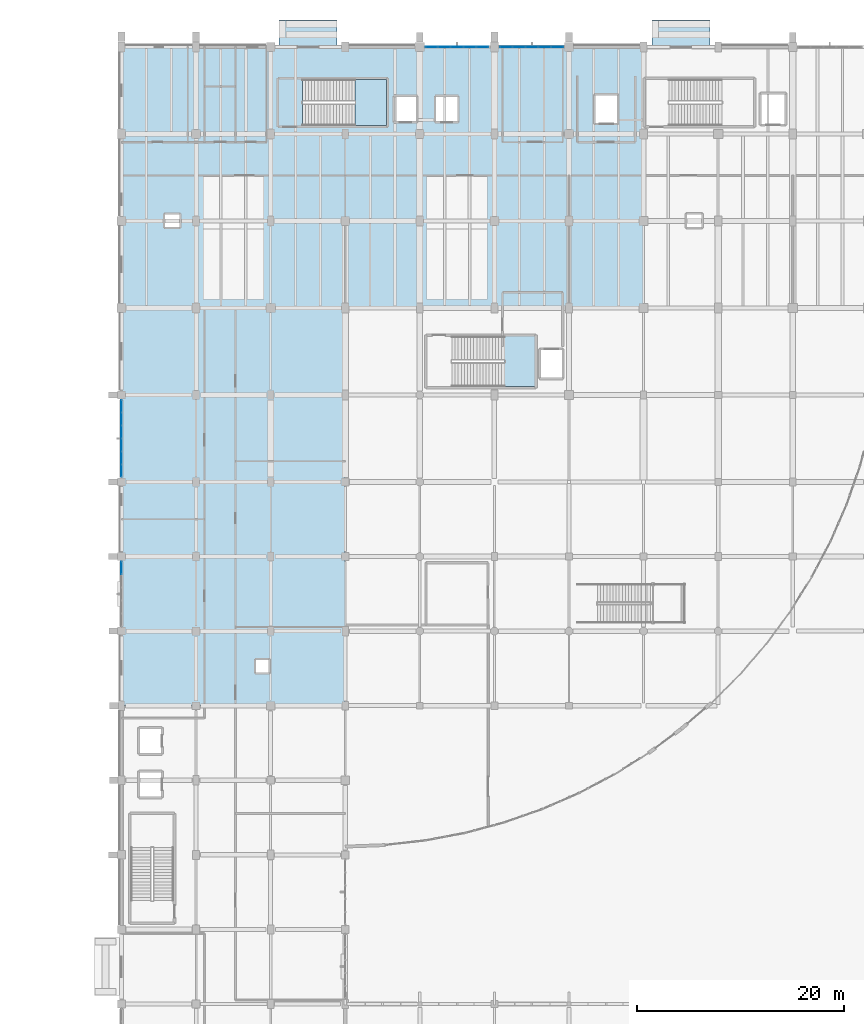
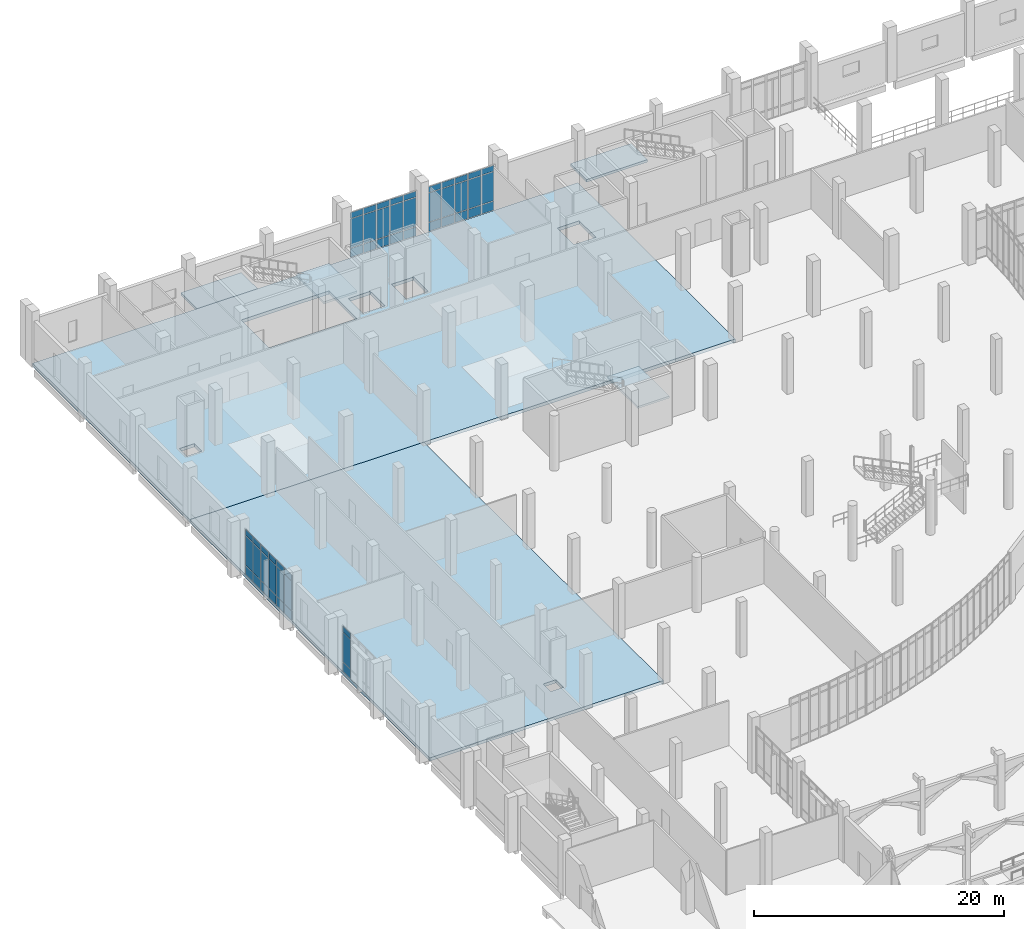
# One storey, part 82 of 110: 51 plates, 6 slabs, 6 elements without a shape of their own.
"""IFC4 building model written with IfcOpenShell, lengths in metres."""

from ifc_helpers import new_model, si_unit, direction, frame, origin, origin_2d, place, context, subcontext, project, spatial, polyline, rectangle, outline, extrude, material, layer, layer_set, type_object, element, aggregate, save


model = new_model("IFC4")

# Units and contexts
model_context = context("Model", 3, precision=1e-05, world=origin(), true_north=direction((0.0, 1.0)))
body_context = subcontext(model_context, "Body", "Model", "MODEL_VIEW")
ifc_project = project(units=[si_unit("LENGTHUNIT", "METRE"), si_unit("AREAUNIT", "SQUARE_METRE"), si_unit("VOLUMEUNIT", "CUBIC_METRE"), si_unit("PLANEANGLEUNIT", "RADIAN"), si_unit("MASSUNIT", "GRAM", prefix="KILO")], contexts=[model_context])

# Site, building, storey
site_placement = place(None, origin())
site = spatial("IfcSite", under=ifc_project, at=site_placement, CompositionType="ELEMENT")
building_placement = place(site_placement, origin())
building = spatial("IfcBuilding", under=site, at=building_placement, Name="Kalluvel Institute of Natural Sciences", CompositionType="ELEMENT")
storey_placement = place(building_placement, origin())
storey = spatial("IfcBuildingStorey", under=building, at=storey_placement, Name="L00", CompositionType="ELEMENT", Elevation=0.0)

# Curtain wall, plates
ifc_material_1 = material(Name="Aluminium AW-6063 T6", Category="aluminium")
curtain_wall_type_1 = type_object("IfcCurtainWallType", Name="CW-WET-54", PredefinedType="USERDEFINED", material=ifc_material_1)
curtain_wall_1_placement = place(storey_placement, origin())
curtain_wall_1 = element("IfcCurtainWall", 1, at=curtain_wall_1_placement, inside=storey, type_object=curtain_wall_type_1, Name="L00 Gothic lancet curtain wall CWA-L00-X433-Y1280", ObjectType="UNITISED LANCET FACADE", PredefinedType="USERDEFINED")
ifc_material_2 = material(Name="Solar-Control Low-E Laminated Glass", Category="glass")
ifc_layer_1 = layer(ifc_material_2, 0.028076171875)
ifc_layer_set_1 = layer_set([ifc_layer_1], Name="Solar-Control Low-E Laminated Glass")
plate_type = type_object("IfcPlateType", Name="CWP-DGU-28", PredefinedType="CURTAIN_PANEL", material=ifc_layer_set_1)
plate_1_placement = place(storey_placement, frame((43.9326171875, 128.0, 0.06005859375), z_axis=(0.0, 0.0, 1.0), x_axis=(1.0, 0.0, 0.0)))
plate_1 = element("IfcPlate", 2, at=plate_1_placement, type_object=plate_type, Name="CW-02 panel 1.1", PredefinedType="CURTAIN_PANEL", context=body_context, shape_type="SweptSolid", body=[
    extrude(rectangle(XDim=1.14501953125, YDim=0.028076171875, at=origin_2d()), origin(), (0.0, 0.0, 1.0), 0.860107421875),
])
plate_2_placement = place(storey_placement, frame((43.9326171875, 128.0, 0.97998046875), z_axis=(0.0, 0.0, 1.0), x_axis=(1.0, 0.0, 0.0)))
plate_2 = element("IfcPlate", 3, at=plate_2_placement, type_object=plate_type, Name="CW-02 panel 1.2", PredefinedType="CURTAIN_PANEL", context=body_context, shape_type="SweptSolid", body=[
    extrude(rectangle(XDim=1.14501953125, YDim=0.028076171875, at=origin_2d()), origin(), (0.0, 0.0, 1.0), 2.820068359375),
])
plate_3_placement = place(storey_placement, frame((43.9326171875, 128.0, 3.85986328125), z_axis=(0.0, 0.0, 1.0), x_axis=(1.0, 0.0, 0.0)))
plate_3 = element("IfcPlate", 4, at=plate_3_placement, type_object=plate_type, Name="CW-02 panel 1.3", PredefinedType="CURTAIN_PANEL", context=body_context, shape_type="SweptSolid", body=[
    extrude(rectangle(XDim=1.14501953125, YDim=0.028076171875, at=origin_2d()), origin(), (0.0, 0.0, 1.0), 0.56005859375),
])
plate_4_placement = place(storey_placement, frame((45.152587890625, 128.0, 0.06005859375), z_axis=(0.0, 0.0, 1.0), x_axis=(1.0, 0.0, 0.0)))
plate_4 = element("IfcPlate", 5, at=plate_4_placement, type_object=plate_type, Name="CW-02 panel 2.1", PredefinedType="CURTAIN_PANEL", context=body_context, shape_type="SweptSolid", body=[
    extrude(rectangle(XDim=1.175048828125, YDim=0.028076171875, at=origin_2d()), origin(), (0.0, 0.0, 1.0), 0.860107421875),
])
plate_5_placement = place(storey_placement, frame((45.152587890625, 128.0, 0.97998046875), z_axis=(0.0, 0.0, 1.0), x_axis=(1.0, 0.0, 0.0)))
plate_5 = element("IfcPlate", 6, at=plate_5_placement, type_object=plate_type, Name="CW-02 panel 2.2", PredefinedType="CURTAIN_PANEL", context=body_context, shape_type="SweptSolid", body=[
    extrude(rectangle(XDim=1.175048828125, YDim=0.028076171875, at=origin_2d()), origin(), (0.0, 0.0, 1.0), 2.820068359375),
])
plate_6_placement = place(storey_placement, frame((45.152587890625, 128.0, 3.85986328125), z_axis=(0.0, 0.0, 1.0), x_axis=(1.0, 0.0, 0.0)))
plate_6 = element("IfcPlate", 7, at=plate_6_placement, type_object=plate_type, Name="CW-02 panel 2.3", PredefinedType="CURTAIN_PANEL", context=body_context, shape_type="SweptSolid", body=[
    extrude(rectangle(XDim=1.175048828125, YDim=0.028076171875, at=origin_2d()), origin(), (0.0, 0.0, 1.0), 0.56005859375),
])
plate_7_placement = place(storey_placement, frame((46.387451171875, 128.0, 0.06005859375), z_axis=(0.0, 0.0, 1.0), x_axis=(1.0, 0.0, 0.0)))
plate_7 = element("IfcPlate", 8, at=plate_7_placement, type_object=plate_type, Name="CW-02 panel 3.1", PredefinedType="CURTAIN_PANEL", context=body_context, shape_type="SweptSolid", body=[
    extrude(rectangle(XDim=1.175048828125, YDim=0.028076171875, at=origin_2d()), origin(), (0.0, 0.0, 1.0), 0.860107421875),
])
plate_8_placement = place(storey_placement, frame((46.387451171875, 128.0, 0.97998046875), z_axis=(0.0, 0.0, 1.0), x_axis=(1.0, 0.0, 0.0)))
plate_8 = element("IfcPlate", 9, at=plate_8_placement, type_object=plate_type, Name="CW-02 panel 3.2", PredefinedType="CURTAIN_PANEL", context=body_context, shape_type="SweptSolid", body=[
    extrude(rectangle(XDim=1.175048828125, YDim=0.028076171875, at=origin_2d()), origin(), (0.0, 0.0, 1.0), 2.820068359375),
])
plate_9_placement = place(storey_placement, frame((46.387451171875, 128.0, 3.85986328125), z_axis=(0.0, 0.0, 1.0), x_axis=(1.0, 0.0, 0.0)))
plate_9 = element("IfcPlate", 10, at=plate_9_placement, type_object=plate_type, Name="CW-02 panel 3.3", PredefinedType="CURTAIN_PANEL", context=body_context, shape_type="SweptSolid", body=[
    extrude(rectangle(XDim=1.175048828125, YDim=0.028076171875, at=origin_2d()), origin(), (0.0, 0.0, 1.0), 0.56005859375),
])
plate_10_placement = place(storey_placement, frame((47.62255859375, 128.0, 0.06005859375), z_axis=(0.0, 0.0, 1.0), x_axis=(1.0, 0.0, 0.0)))
plate_10 = element("IfcPlate", 11, at=plate_10_placement, type_object=plate_type, Name="CW-02 panel 4.1", PredefinedType="CURTAIN_PANEL", context=body_context, shape_type="SweptSolid", body=[
    extrude(rectangle(XDim=1.175048828125, YDim=0.028076171875, at=origin_2d()), origin(), (0.0, 0.0, 1.0), 0.860107421875),
])
plate_11_placement = place(storey_placement, frame((47.62255859375, 128.0, 0.97998046875), z_axis=(0.0, 0.0, 1.0), x_axis=(1.0, 0.0, 0.0)))
plate_11 = element("IfcPlate", 12, at=plate_11_placement, type_object=plate_type, Name="CW-02 panel 4.2", PredefinedType="CURTAIN_PANEL", context=body_context, shape_type="SweptSolid", body=[
    extrude(rectangle(XDim=1.175048828125, YDim=0.028076171875, at=origin_2d()), origin(), (0.0, 0.0, 1.0), 2.820068359375),
])
plate_12_placement = place(storey_placement, frame((47.62255859375, 128.0, 3.85986328125), z_axis=(0.0, 0.0, 1.0), x_axis=(1.0, 0.0, 0.0)))
plate_12 = element("IfcPlate", 13, at=plate_12_placement, type_object=plate_type, Name="CW-02 panel 4.3", PredefinedType="CURTAIN_PANEL", context=body_context, shape_type="SweptSolid", body=[
    extrude(rectangle(XDim=1.175048828125, YDim=0.028076171875, at=origin_2d()), origin(), (0.0, 0.0, 1.0), 0.56005859375),
])
plate_13_placement = place(storey_placement, frame((48.842529296875, 128.0, 0.06005859375), z_axis=(0.0, 0.0, 1.0), x_axis=(1.0, 0.0, 0.0)))
plate_13 = element("IfcPlate", 14, at=plate_13_placement, type_object=plate_type, Name="CW-02 panel 5.1", PredefinedType="CURTAIN_PANEL", context=body_context, shape_type="SweptSolid", body=[
    extrude(rectangle(XDim=1.14501953125, YDim=0.028076171875, at=origin_2d()), origin(), (0.0, 0.0, 1.0), 0.860107421875),
])
plate_14_placement = place(storey_placement, frame((48.842529296875, 128.0, 0.97998046875), z_axis=(0.0, 0.0, 1.0), x_axis=(1.0, 0.0, 0.0)))
plate_14 = element("IfcPlate", 15, at=plate_14_placement, type_object=plate_type, Name="CW-02 panel 5.2", PredefinedType="CURTAIN_PANEL", context=body_context, shape_type="SweptSolid", body=[
    extrude(rectangle(XDim=1.14501953125, YDim=0.028076171875, at=origin_2d()), origin(), (0.0, 0.0, 1.0), 2.820068359375),
])
plate_15_placement = place(storey_placement, frame((48.842529296875, 128.0, 3.85986328125), z_axis=(0.0, 0.0, 1.0), x_axis=(1.0, 0.0, 0.0)))
plate_15 = element("IfcPlate", 16, at=plate_15_placement, type_object=plate_type, Name="CW-02 panel 5.3", PredefinedType="CURTAIN_PANEL", context=body_context, shape_type="SweptSolid", body=[
    extrude(rectangle(XDim=1.14501953125, YDim=0.028076171875, at=origin_2d()), origin(), (0.0, 0.0, 1.0), 0.56005859375),
])
aggregate(curtain_wall_1, [plate_1, plate_2, plate_3, plate_4, plate_5, plate_6, plate_7, plate_8, plate_9, plate_10, plate_11, plate_12, plate_13, plate_14, plate_15])

curtain_wall_2_placement = place(storey_placement, origin())
curtain_wall_2 = element("IfcCurtainWall", 17, at=curtain_wall_2_placement, inside=storey, type_object=curtain_wall_type_1, Name="L00 Gothic lancet curtain wall CWA-L00-X505-Y1280", ObjectType="UNITISED LANCET FACADE", PredefinedType="USERDEFINED")
plate_16_placement = place(storey_placement, frame((51.157470703125, 128.0, 0.06005859375), z_axis=(0.0, 0.0, 1.0), x_axis=(1.0, 0.0, 0.0)))
plate_16 = element("IfcPlate", 18, at=plate_16_placement, type_object=plate_type, Name="CW-02 panel 1.1", PredefinedType="CURTAIN_PANEL", context=body_context, shape_type="SweptSolid", body=[
    extrude(rectangle(XDim=1.14501953125, YDim=0.028076171875, at=origin_2d()), origin(), (0.0, 0.0, 1.0), 0.860107421875),
])
plate_17_placement = place(storey_placement, frame((51.157470703125, 128.0, 0.97998046875), z_axis=(0.0, 0.0, 1.0), x_axis=(1.0, 0.0, 0.0)))
plate_17 = element("IfcPlate", 19, at=plate_17_placement, type_object=plate_type, Name="CW-02 panel 1.2", PredefinedType="CURTAIN_PANEL", context=body_context, shape_type="SweptSolid", body=[
    extrude(rectangle(XDim=1.14501953125, YDim=0.028076171875, at=origin_2d()), origin(), (0.0, 0.0, 1.0), 2.820068359375),
])
plate_18_placement = place(storey_placement, frame((51.157470703125, 128.0, 3.85986328125), z_axis=(0.0, 0.0, 1.0), x_axis=(1.0, 0.0, 0.0)))
plate_18 = element("IfcPlate", 20, at=plate_18_placement, type_object=plate_type, Name="CW-02 panel 1.3", PredefinedType="CURTAIN_PANEL", context=body_context, shape_type="SweptSolid", body=[
    extrude(rectangle(XDim=1.14501953125, YDim=0.028076171875, at=origin_2d()), origin(), (0.0, 0.0, 1.0), 0.56005859375),
])
plate_19_placement = place(storey_placement, frame((52.37744140625, 128.0, 0.06005859375), z_axis=(0.0, 0.0, 1.0), x_axis=(1.0, 0.0, 0.0)))
plate_19 = element("IfcPlate", 21, at=plate_19_placement, type_object=plate_type, Name="CW-02 panel 2.1", PredefinedType="CURTAIN_PANEL", context=body_context, shape_type="SweptSolid", body=[
    extrude(rectangle(XDim=1.175048828125, YDim=0.028076171875, at=origin_2d()), origin(), (0.0, 0.0, 1.0), 0.860107421875),
])
plate_20_placement = place(storey_placement, frame((52.37744140625, 128.0, 0.97998046875), z_axis=(0.0, 0.0, 1.0), x_axis=(1.0, 0.0, 0.0)))
plate_20 = element("IfcPlate", 22, at=plate_20_placement, type_object=plate_type, Name="CW-02 panel 2.2", PredefinedType="CURTAIN_PANEL", context=body_context, shape_type="SweptSolid", body=[
    extrude(rectangle(XDim=1.175048828125, YDim=0.028076171875, at=origin_2d()), origin(), (0.0, 0.0, 1.0), 2.820068359375),
])
plate_21_placement = place(storey_placement, frame((52.37744140625, 128.0, 3.85986328125), z_axis=(0.0, 0.0, 1.0), x_axis=(1.0, 0.0, 0.0)))
plate_21 = element("IfcPlate", 23, at=plate_21_placement, type_object=plate_type, Name="CW-02 panel 2.3", PredefinedType="CURTAIN_PANEL", context=body_context, shape_type="SweptSolid", body=[
    extrude(rectangle(XDim=1.175048828125, YDim=0.028076171875, at=origin_2d()), origin(), (0.0, 0.0, 1.0), 0.56005859375),
])
plate_22_placement = place(storey_placement, frame((53.612548828125, 128.0, 0.06005859375), z_axis=(0.0, 0.0, 1.0), x_axis=(1.0, 0.0, 0.0)))
plate_22 = element("IfcPlate", 24, at=plate_22_placement, type_object=plate_type, Name="CW-02 panel 3.1", PredefinedType="CURTAIN_PANEL", context=body_context, shape_type="SweptSolid", body=[
    extrude(rectangle(XDim=1.175048828125, YDim=0.028076171875, at=origin_2d()), origin(), (0.0, 0.0, 1.0), 0.860107421875),
])
plate_23_placement = place(storey_placement, frame((53.612548828125, 128.0, 0.97998046875), z_axis=(0.0, 0.0, 1.0), x_axis=(1.0, 0.0, 0.0)))
plate_23 = element("IfcPlate", 25, at=plate_23_placement, type_object=plate_type, Name="CW-02 panel 3.2", PredefinedType="CURTAIN_PANEL", context=body_context, shape_type="SweptSolid", body=[
    extrude(rectangle(XDim=1.175048828125, YDim=0.028076171875, at=origin_2d()), origin(), (0.0, 0.0, 1.0), 2.820068359375),
])
plate_24_placement = place(storey_placement, frame((53.612548828125, 128.0, 3.85986328125), z_axis=(0.0, 0.0, 1.0), x_axis=(1.0, 0.0, 0.0)))
plate_24 = element("IfcPlate", 26, at=plate_24_placement, type_object=plate_type, Name="CW-02 panel 3.3", PredefinedType="CURTAIN_PANEL", context=body_context, shape_type="SweptSolid", body=[
    extrude(rectangle(XDim=1.175048828125, YDim=0.028076171875, at=origin_2d()), origin(), (0.0, 0.0, 1.0), 0.56005859375),
])
plate_25_placement = place(storey_placement, frame((54.847412109375, 128.0, 0.06005859375), z_axis=(0.0, 0.0, 1.0), x_axis=(1.0, 0.0, 0.0)))
plate_25 = element("IfcPlate", 27, at=plate_25_placement, type_object=plate_type, Name="CW-02 panel 4.1", PredefinedType="CURTAIN_PANEL", context=body_context, shape_type="SweptSolid", body=[
    extrude(rectangle(XDim=1.175048828125, YDim=0.028076171875, at=origin_2d()), origin(), (0.0, 0.0, 1.0), 0.860107421875),
])
plate_26_placement = place(storey_placement, frame((54.847412109375, 128.0, 0.97998046875), z_axis=(0.0, 0.0, 1.0), x_axis=(1.0, 0.0, 0.0)))
plate_26 = element("IfcPlate", 28, at=plate_26_placement, type_object=plate_type, Name="CW-02 panel 4.2", PredefinedType="CURTAIN_PANEL", context=body_context, shape_type="SweptSolid", body=[
    extrude(rectangle(XDim=1.175048828125, YDim=0.028076171875, at=origin_2d()), origin(), (0.0, 0.0, 1.0), 2.820068359375),
])
plate_27_placement = place(storey_placement, frame((54.847412109375, 128.0, 3.85986328125), z_axis=(0.0, 0.0, 1.0), x_axis=(1.0, 0.0, 0.0)))
plate_27 = element("IfcPlate", 29, at=plate_27_placement, type_object=plate_type, Name="CW-02 panel 4.3", PredefinedType="CURTAIN_PANEL", context=body_context, shape_type="SweptSolid", body=[
    extrude(rectangle(XDim=1.175048828125, YDim=0.028076171875, at=origin_2d()), origin(), (0.0, 0.0, 1.0), 0.56005859375),
])
plate_28_placement = place(storey_placement, frame((56.0673828125, 128.0, 0.06005859375), z_axis=(0.0, 0.0, 1.0), x_axis=(1.0, 0.0, 0.0)))
plate_28 = element("IfcPlate", 30, at=plate_28_placement, type_object=plate_type, Name="CW-02 panel 5.1", PredefinedType="CURTAIN_PANEL", context=body_context, shape_type="SweptSolid", body=[
    extrude(rectangle(XDim=1.14501953125, YDim=0.028076171875, at=origin_2d()), origin(), (0.0, 0.0, 1.0), 0.860107421875),
])
plate_29_placement = place(storey_placement, frame((56.0673828125, 128.0, 0.97998046875), z_axis=(0.0, 0.0, 1.0), x_axis=(1.0, 0.0, 0.0)))
plate_29 = element("IfcPlate", 31, at=plate_29_placement, type_object=plate_type, Name="CW-02 panel 5.2", PredefinedType="CURTAIN_PANEL", context=body_context, shape_type="SweptSolid", body=[
    extrude(rectangle(XDim=1.14501953125, YDim=0.028076171875, at=origin_2d()), origin(), (0.0, 0.0, 1.0), 2.820068359375),
])
plate_30_placement = place(storey_placement, frame((56.0673828125, 128.0, 3.85986328125), z_axis=(0.0, 0.0, 1.0), x_axis=(1.0, 0.0, 0.0)))
plate_30 = element("IfcPlate", 32, at=plate_30_placement, type_object=plate_type, Name="CW-02 panel 5.3", PredefinedType="CURTAIN_PANEL", context=body_context, shape_type="SweptSolid", body=[
    extrude(rectangle(XDim=1.14501953125, YDim=0.028076171875, at=origin_2d()), origin(), (0.0, 0.0, 1.0), 0.56005859375),
])
aggregate(curtain_wall_2, [plate_16, plate_17, plate_18, plate_19, plate_20, plate_21, plate_22, plate_23, plate_24, plate_25, plate_26, plate_27, plate_28, plate_29, plate_30])

curtain_wall_type_2 = type_object("IfcCurtainWallType", Name="CW-DRY-54", PredefinedType="USERDEFINED", material=ifc_material_1)
curtain_wall_3_placement = place(storey_placement, origin())
curtain_wall_3 = element("IfcCurtainWall", 33, at=curtain_wall_3_placement, inside=storey, type_object=curtain_wall_type_2, Name="L00 Gothic lancet curtain wall CWA-L00-X140-Y720", ObjectType="UNITISED LANCET FACADE", PredefinedType="USERDEFINED")
plate_31_placement = place(storey_placement, frame((14.0, 77.702392578125, 0.06005859375), z_axis=(0.0, 0.0, 1.0), x_axis=(0.0, 1.0, 0.0)))
plate_31 = element("IfcPlate", 34, at=plate_31_placement, type_object=plate_type, Name="CW-04 panel 5.1", PredefinedType="CURTAIN_PANEL", context=body_context, shape_type="SweptSolid", body=[
    extrude(rectangle(XDim=1.175048828125, YDim=0.028076171875, at=origin_2d()), origin(), (0.0, 0.0, 1.0), 0.860107421875),
])
plate_32_placement = place(storey_placement, frame((14.0, 77.702392578125, 0.97998046875), z_axis=(0.0, 0.0, 1.0), x_axis=(0.0, 1.0, 0.0)))
plate_32 = element("IfcPlate", 35, at=plate_32_placement, type_object=plate_type, Name="CW-04 panel 5.2", PredefinedType="CURTAIN_PANEL", context=body_context, shape_type="SweptSolid", body=[
    extrude(rectangle(XDim=1.175048828125, YDim=0.028076171875, at=origin_2d()), origin(), (0.0, 0.0, 1.0), 2.860107421875),
])
plate_33_placement = place(storey_placement, frame((14.0, 77.702392578125, 3.89990234375), z_axis=(0.0, 0.0, 1.0), x_axis=(0.0, 1.0, 0.0)))
plate_33 = element("IfcPlate", 36, at=plate_33_placement, type_object=plate_type, Name="CW-04 panel 5.3", PredefinedType="CURTAIN_PANEL", context=body_context, shape_type="SweptSolid", body=[
    extrude(rectangle(XDim=1.175048828125, YDim=0.028076171875, at=origin_2d()), origin(), (0.0, 0.0, 1.0), 0.56005859375),
])
aggregate(curtain_wall_3, [plate_31, plate_32, plate_33])

curtain_wall_4_placement = place(storey_placement, origin())
curtain_wall_4 = element("IfcCurtainWall", 37, at=curtain_wall_4_placement, inside=storey, type_object=curtain_wall_type_2, Name="L00 Gothic lancet curtain wall CWA-L00-X140-Y864", ObjectType="UNITISED LANCET FACADE", PredefinedType="USERDEFINED")
plate_34_placement = place(storey_placement, frame((14.0, 87.090087890625, 0.06005859375), z_axis=(0.0, 0.0, 1.0), x_axis=(0.0, 1.0, 0.0)))
plate_34 = element("IfcPlate", 38, at=plate_34_placement, type_object=plate_type, Name="CW-04 panel 1.1", PredefinedType="CURTAIN_PANEL", context=body_context, shape_type="SweptSolid", body=[
    extrude(rectangle(XDim=1.159912109375, YDim=0.028076171875, at=origin_2d()), origin(), (0.0, 0.0, 1.0), 0.860107421875),
])
plate_35_placement = place(storey_placement, frame((14.0, 87.090087890625, 0.97998046875), z_axis=(0.0, 0.0, 1.0), x_axis=(0.0, 1.0, 0.0)))
plate_35 = element("IfcPlate", 39, at=plate_35_placement, type_object=plate_type, Name="CW-04 panel 1.2", PredefinedType="CURTAIN_PANEL", context=body_context, shape_type="SweptSolid", body=[
    extrude(rectangle(XDim=1.159912109375, YDim=0.028076171875, at=origin_2d()), origin(), (0.0, 0.0, 1.0), 2.860107421875),
])
plate_36_placement = place(storey_placement, frame((14.0, 87.090087890625, 3.89990234375), z_axis=(0.0, 0.0, 1.0), x_axis=(0.0, 1.0, 0.0)))
plate_36 = element("IfcPlate", 40, at=plate_36_placement, type_object=plate_type, Name="CW-04 panel 1.3", PredefinedType="CURTAIN_PANEL", context=body_context, shape_type="SweptSolid", body=[
    extrude(rectangle(XDim=1.159912109375, YDim=0.028076171875, at=origin_2d()), origin(), (0.0, 0.0, 1.0), 0.56005859375),
])
plate_37_placement = place(storey_placement, frame((14.0, 88.324951171875, 0.06005859375), z_axis=(0.0, 0.0, 1.0), x_axis=(0.0, 1.0, 0.0)))
plate_37 = element("IfcPlate", 41, at=plate_37_placement, type_object=plate_type, Name="CW-04 panel 2.1", PredefinedType="CURTAIN_PANEL", context=body_context, shape_type="SweptSolid", body=[
    extrude(rectangle(XDim=1.18994140625, YDim=0.028076171875, at=origin_2d()), origin(), (0.0, 0.0, 1.0), 0.860107421875),
])
plate_38_placement = place(storey_placement, frame((14.0, 88.324951171875, 0.97998046875), z_axis=(0.0, 0.0, 1.0), x_axis=(0.0, 1.0, 0.0)))
plate_38 = element("IfcPlate", 42, at=plate_38_placement, type_object=plate_type, Name="CW-04 panel 2.2", PredefinedType="CURTAIN_PANEL", context=body_context, shape_type="SweptSolid", body=[
    extrude(rectangle(XDim=1.18994140625, YDim=0.028076171875, at=origin_2d()), origin(), (0.0, 0.0, 1.0), 2.860107421875),
])
plate_39_placement = place(storey_placement, frame((14.0, 88.324951171875, 3.89990234375), z_axis=(0.0, 0.0, 1.0), x_axis=(0.0, 1.0, 0.0)))
plate_39 = element("IfcPlate", 43, at=plate_39_placement, type_object=plate_type, Name="CW-04 panel 2.3", PredefinedType="CURTAIN_PANEL", context=body_context, shape_type="SweptSolid", body=[
    extrude(rectangle(XDim=1.18994140625, YDim=0.028076171875, at=origin_2d()), origin(), (0.0, 0.0, 1.0), 0.56005859375),
])
plate_40_placement = place(storey_placement, frame((14.0, 89.574951171875, 0.06005859375), z_axis=(0.0, 0.0, 1.0), x_axis=(0.0, 1.0, 0.0)))
plate_40 = element("IfcPlate", 44, at=plate_40_placement, type_object=plate_type, Name="CW-04 panel 3.1", PredefinedType="CURTAIN_PANEL", context=body_context, shape_type="SweptSolid", body=[
    extrude(rectangle(XDim=1.18994140625, YDim=0.028076171875, at=origin_2d()), origin(), (0.0, 0.0, 1.0), 0.860107421875),
])
plate_41_placement = place(storey_placement, frame((14.0, 89.574951171875, 0.97998046875), z_axis=(0.0, 0.0, 1.0), x_axis=(0.0, 1.0, 0.0)))
plate_41 = element("IfcPlate", 45, at=plate_41_placement, type_object=plate_type, Name="CW-04 panel 3.2", PredefinedType="CURTAIN_PANEL", context=body_context, shape_type="SweptSolid", body=[
    extrude(rectangle(XDim=1.18994140625, YDim=0.028076171875, at=origin_2d()), origin(), (0.0, 0.0, 1.0), 2.860107421875),
])
plate_42_placement = place(storey_placement, frame((14.0, 89.574951171875, 3.89990234375), z_axis=(0.0, 0.0, 1.0), x_axis=(0.0, 1.0, 0.0)))
plate_42 = element("IfcPlate", 46, at=plate_42_placement, type_object=plate_type, Name="CW-04 panel 3.3", PredefinedType="CURTAIN_PANEL", context=body_context, shape_type="SweptSolid", body=[
    extrude(rectangle(XDim=1.18994140625, YDim=0.028076171875, at=origin_2d()), origin(), (0.0, 0.0, 1.0), 0.56005859375),
])
plate_43_placement = place(storey_placement, frame((14.0, 90.824951171875, 0.06005859375), z_axis=(0.0, 0.0, 1.0), x_axis=(0.0, 1.0, 0.0)))
plate_43 = element("IfcPlate", 47, at=plate_43_placement, type_object=plate_type, Name="CW-04 panel 4.1", PredefinedType="CURTAIN_PANEL", context=body_context, shape_type="SweptSolid", body=[
    extrude(rectangle(XDim=1.18994140625, YDim=0.028076171875, at=origin_2d()), origin(), (0.0, 0.0, 1.0), 0.860107421875),
])
plate_44_placement = place(storey_placement, frame((14.0, 90.824951171875, 0.97998046875), z_axis=(0.0, 0.0, 1.0), x_axis=(0.0, 1.0, 0.0)))
plate_44 = element("IfcPlate", 48, at=plate_44_placement, type_object=plate_type, Name="CW-04 panel 4.2", PredefinedType="CURTAIN_PANEL", context=body_context, shape_type="SweptSolid", body=[
    extrude(rectangle(XDim=1.18994140625, YDim=0.028076171875, at=origin_2d()), origin(), (0.0, 0.0, 1.0), 2.860107421875),
])
plate_45_placement = place(storey_placement, frame((14.0, 90.824951171875, 3.89990234375), z_axis=(0.0, 0.0, 1.0), x_axis=(0.0, 1.0, 0.0)))
plate_45 = element("IfcPlate", 49, at=plate_45_placement, type_object=plate_type, Name="CW-04 panel 4.3", PredefinedType="CURTAIN_PANEL", context=body_context, shape_type="SweptSolid", body=[
    extrude(rectangle(XDim=1.18994140625, YDim=0.028076171875, at=origin_2d()), origin(), (0.0, 0.0, 1.0), 0.56005859375),
])
plate_46_placement = place(storey_placement, frame((14.0, 92.074951171875, 0.06005859375), z_axis=(0.0, 0.0, 1.0), x_axis=(0.0, 1.0, 0.0)))
plate_46 = element("IfcPlate", 50, at=plate_46_placement, type_object=plate_type, Name="CW-04 panel 5.1", PredefinedType="CURTAIN_PANEL", context=body_context, shape_type="SweptSolid", body=[
    extrude(rectangle(XDim=1.18994140625, YDim=0.028076171875, at=origin_2d()), origin(), (0.0, 0.0, 1.0), 0.860107421875),
])
plate_47_placement = place(storey_placement, frame((14.0, 92.074951171875, 0.97998046875), z_axis=(0.0, 0.0, 1.0), x_axis=(0.0, 1.0, 0.0)))
plate_47 = element("IfcPlate", 51, at=plate_47_placement, type_object=plate_type, Name="CW-04 panel 5.2", PredefinedType="CURTAIN_PANEL", context=body_context, shape_type="SweptSolid", body=[
    extrude(rectangle(XDim=1.18994140625, YDim=0.028076171875, at=origin_2d()), origin(), (0.0, 0.0, 1.0), 2.860107421875),
])
plate_48_placement = place(storey_placement, frame((14.0, 92.074951171875, 3.89990234375), z_axis=(0.0, 0.0, 1.0), x_axis=(0.0, 1.0, 0.0)))
plate_48 = element("IfcPlate", 52, at=plate_48_placement, type_object=plate_type, Name="CW-04 panel 5.3", PredefinedType="CURTAIN_PANEL", context=body_context, shape_type="SweptSolid", body=[
    extrude(rectangle(XDim=1.18994140625, YDim=0.028076171875, at=origin_2d()), origin(), (0.0, 0.0, 1.0), 0.56005859375),
])
plate_49_placement = place(storey_placement, frame((14.0, 93.31005859375, 0.06005859375), z_axis=(0.0, 0.0, 1.0), x_axis=(0.0, 1.0, 0.0)))
plate_49 = element("IfcPlate", 53, at=plate_49_placement, type_object=plate_type, Name="CW-04 panel 6.1", PredefinedType="CURTAIN_PANEL", context=body_context, shape_type="SweptSolid", body=[
    extrude(rectangle(XDim=1.159912109375, YDim=0.028076171875, at=origin_2d()), origin(), (0.0, 0.0, 1.0), 0.860107421875),
])
plate_50_placement = place(storey_placement, frame((14.0, 93.31005859375, 0.97998046875), z_axis=(0.0, 0.0, 1.0), x_axis=(0.0, 1.0, 0.0)))
plate_50 = element("IfcPlate", 54, at=plate_50_placement, type_object=plate_type, Name="CW-04 panel 6.2", PredefinedType="CURTAIN_PANEL", context=body_context, shape_type="SweptSolid", body=[
    extrude(rectangle(XDim=1.159912109375, YDim=0.028076171875, at=origin_2d()), origin(), (0.0, 0.0, 1.0), 2.860107421875),
])
plate_51_placement = place(storey_placement, frame((14.0, 93.31005859375, 3.89990234375), z_axis=(0.0, 0.0, 1.0), x_axis=(0.0, 1.0, 0.0)))
plate_51 = element("IfcPlate", 55, at=plate_51_placement, type_object=plate_type, Name="CW-04 panel 6.3", PredefinedType="CURTAIN_PANEL", context=body_context, shape_type="SweptSolid", body=[
    extrude(rectangle(XDim=1.159912109375, YDim=0.028076171875, at=origin_2d()), origin(), (0.0, 0.0, 1.0), 0.56005859375),
])
aggregate(curtain_wall_4, [plate_34, plate_35, plate_36, plate_37, plate_38, plate_39, plate_40, plate_41, plate_42, plate_43, plate_44, plate_45, plate_46, plate_47, plate_48, plate_49, plate_50, plate_51])

# Slabs
ifc_material_3 = material(Name="Sadarahalli Grey Granite Ashlar Concrete M40", Category="masonry")
ifc_layer_2 = layer(ifc_material_3, 0.239990234375)
ifc_layer_set_2 = layer_set([ifc_layer_2], Name="Sadarahalli Grey Granite Ashlar Concrete M40")
slab_type_1 = type_object("IfcSlabType", Name="SLB-APR-240", PredefinedType="FLOOR", material=ifc_layer_set_2)
slab_1_placement = place(storey_placement, frame((0.0, 0.0, -0.239990234375)))
element("IfcSlab", 56, at=slab_1_placement, inside=storey, type_object=slab_type_1, Name="Ground entrance granite threshold apron E1", PredefinedType="FLOOR", context=body_context, shape_type="SweptSolid", body=[
    extrude(outline(polyline([(29.199951171875, 128.0), (34.800048828125, 128.0), (34.800048828125, 130.60009765625), (29.199951171875, 130.60009765625), (29.199951171875, 128.0)])), origin(), (0.0, 0.0, 1.0), 0.239990234375),
])
slab_2_placement = place(storey_placement, frame((0.0, 0.0, -0.239990234375)))
element("IfcSlab", 57, at=slab_2_placement, inside=storey, type_object=slab_type_1, Name="Ground entrance granite threshold apron E2", PredefinedType="FLOOR", context=body_context, shape_type="SweptSolid", body=[
    extrude(outline(polyline([(65.199951171875, 128.0), (70.800048828125, 128.0), (70.800048828125, 130.60009765625), (65.199951171875, 130.60009765625), (65.199951171875, 128.0)])), origin(), (0.0, 0.0, 1.0), 0.239990234375),
])
ifc_material_4 = material(Name="Concrete M40", Category="concrete")
ifc_layer_3 = layer(ifc_material_4, 0.300048828125)
ifc_layer_set_3 = layer_set([ifc_layer_3], Name="Concrete M40")
slab_type_2 = type_object("IfcSlabType", Name="SLB-DRY-300", PredefinedType="FLOOR", material=ifc_layer_set_3)
slab_3_placement = place(storey_placement, frame((0.0, 0.0, -0.300048828125)))
element("IfcSlab", 58, at=slab_3_placement, inside=storey, type_object=slab_type_2, Name="L00 Dry Laboratory Floor Slab N", PredefinedType="FLOOR", context=body_context, shape_type="SweptSolid", body=[
    extrude(outline(polyline([(14.0, 64.39990234375), (35.60009765625, 64.39990234375), (35.60009765625, 102.800048828125), (14.0, 102.800048828125), (14.0, 64.39990234375)]), holes=[polyline([(27.0, 67.60009765625), (27.0, 68.800048828125), (28.199951171875, 68.800048828125), (28.199951171875, 67.60009765625), (27.0, 67.60009765625)])]), origin(), (0.0, 0.0, 1.0), 0.300048828125),
])
ifc_layer_4 = layer(ifc_material_4, 0.320068359375)
ifc_layer_set_4 = layer_set([ifc_layer_4], Name="Concrete M40")
slab_type_3 = type_object("IfcSlabType", Name="SLB-WET-320", PredefinedType="FLOOR", material=ifc_layer_set_4)
slab_4_placement = place(storey_placement, frame((0.0, 0.0, -0.320068359375)))
element("IfcSlab", 59, at=slab_4_placement, inside=storey, type_object=slab_type_3, Name="L00 Wet Laboratory Waffle Floor Slab W", PredefinedType="FLOOR", context=body_context, shape_type="SweptSolid", body=[
    extrude(outline(polyline([(14.0, 102.800048828125), (64.39990234375, 102.800048828125), (64.39990234375, 128.0), (14.0, 128.0), (14.0, 102.800048828125)]), holes=[polyline([(61.820068359375, 120.679931640625), (59.780029296875, 120.679931640625), (59.780029296875, 123.320068359375), (61.820068359375, 123.320068359375), (61.820068359375, 120.679931640625)]), polyline([(46.419921875, 123.169921875), (46.419921875, 120.830078125), (44.3798828125, 120.830078125), (44.3798828125, 123.169921875), (46.419921875, 123.169921875)]), polyline([(42.419921875, 123.169921875), (42.419921875, 120.830078125), (40.3798828125, 120.830078125), (40.3798828125, 123.169921875), (42.419921875, 123.169921875)]), polyline([(39.60009765625, 120.39990234375), (31.468017578125, 120.39990234375), (31.468017578125, 124.8701171875), (39.60009765625, 124.8701171875), (39.60009765625, 120.39990234375)]), polyline([(19.60009765625, 111.800048828125), (19.60009765625, 110.60009765625), (18.199951171875, 110.60009765625), (18.199951171875, 111.800048828125), (19.60009765625, 111.800048828125)])]), origin(), (0.0, 0.0, 1.0), 0.320068359375),
])

# Stair, slab
stair_type_1 = type_object("IfcStairType", Name="STR-ST12-54", PredefinedType="HALF_TURN_STAIR", material=ifc_material_4)
stair_1_placement = place(storey_placement, origin())
stair_1 = element("IfcStair", 60, at=stair_1_placement, inside=storey, type_object=stair_type_1, Name="L00 Wet Wing West Protected Exit Stair ST1", PredefinedType="HALF_TURN_STAIR")
ifc_layer_5 = layer(ifc_material_4, 0.199951171875)
ifc_layer_set_5 = layer_set([ifc_layer_5], Name="Concrete M40")
slab_type_4 = type_object("IfcSlabType", Name="SLD-ST12", PredefinedType="LANDING", material=ifc_layer_set_5)
slab_5_placement = place(storey_placement, frame((0.0, 0.0, 2.5)))
slab_5 = element("IfcSlab", 61, at=slab_5_placement, type_object=slab_type_4, Name="S1-54 landing 1", PredefinedType="LANDING", context=body_context, shape_type="SweptSolid", body=[
    extrude(outline(polyline([(36.531982421875, 120.39990234375), (39.60009765625, 120.39990234375), (39.60009765625, 124.8701171875), (36.531982421875, 124.8701171875), (36.531982421875, 120.39990234375)])), origin(), (0.0, 0.0, 1.0), 0.199951171875),
])
aggregate(stair_1, [slab_5])

stair_type_2 = type_object("IfcStairType", Name="STR-ST3-54", PredefinedType="HALF_TURN_STAIR", material=ifc_material_4)
stair_2_placement = place(storey_placement, origin())
stair_2 = element("IfcStair", 62, at=stair_2_placement, inside=storey, type_object=stair_type_2, Name="L00 Central Fire-Tower Protected Stair ST3", PredefinedType="HALF_TURN_STAIR")
ifc_layer_6 = layer(ifc_material_4, 0.199951171875)
ifc_layer_set_6 = layer_set([ifc_layer_6], Name="Concrete M40")
slab_type_5 = type_object("IfcSlabType", Name="SLD-ST3", PredefinedType="LANDING", material=ifc_layer_set_6)
slab_6_placement = place(storey_placement, frame((0.0, 0.0, 2.5)))
slab_6 = element("IfcSlab", 63, at=slab_6_placement, type_object=slab_type_5, Name="S3-54 landing 1", PredefinedType="LANDING", context=body_context, shape_type="SweptSolid", body=[
    extrude(outline(polyline([(50.98193359375, 95.199951171875), (53.89990234375, 95.199951171875), (53.89990234375, 100.070068359375), (50.98193359375, 100.070068359375), (50.98193359375, 95.199951171875)])), origin(), (0.0, 0.0, 1.0), 0.199951171875),
])
aggregate(stair_2, [slab_6])

save(model, "model.ifc")
